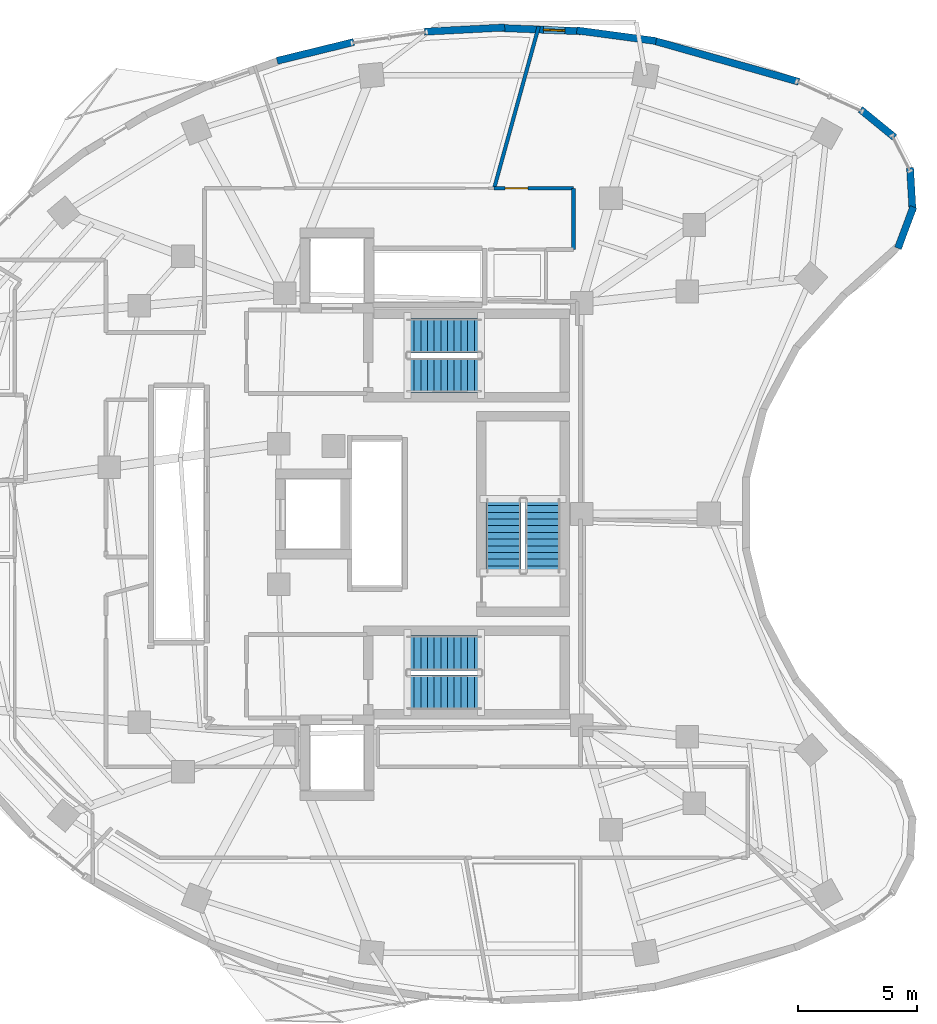
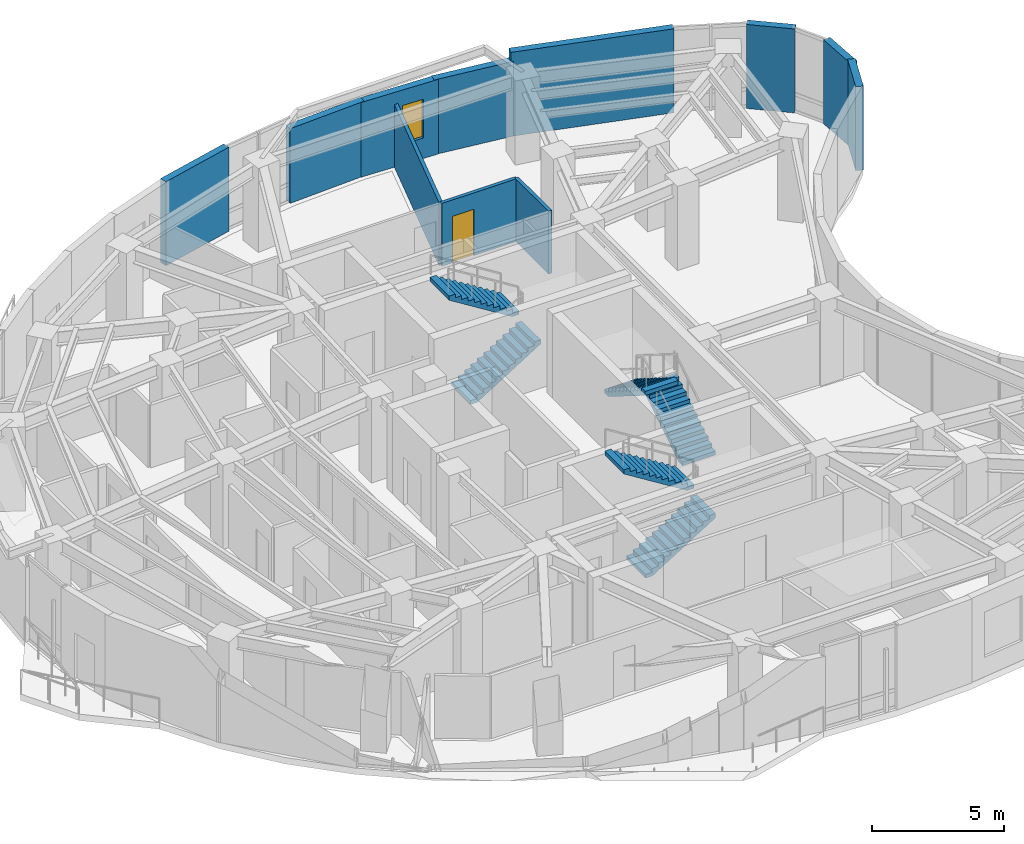
# One storey, part 10 of 13: 11 walls, 6 stair flights, 1 door, 1 window, 2 openings, 3 elements without a shape of their own.
"""IFC4 building model written with IfcOpenShell, lengths in metres."""

from ifc_helpers import new_model, si_unit, direction, frame, frame_2d, origin, place, context, subcontext, project, spatial, polyline, rectangle, outline, extrude, material, layer, layer_set, type_object, element, fill, aggregate, save


model = new_model("IFC4")

# Units and contexts
model_context = context("Model", 3, precision=1e-05, world=origin(), true_north=direction((0.0, 1.0)))
body_context = subcontext(model_context, "Body", "Model", "MODEL_VIEW")
ifc_project = project(units=[si_unit("LENGTHUNIT", "METRE"), si_unit("AREAUNIT", "SQUARE_METRE"), si_unit("VOLUMEUNIT", "CUBIC_METRE"), si_unit("PLANEANGLEUNIT", "RADIAN"), si_unit("MASSUNIT", "GRAM", prefix="KILO")], contexts=[model_context])

# Site, building, storey
site_placement = place(None, origin())
site = spatial("IfcSite", under=ifc_project, at=site_placement, CompositionType="ELEMENT")
building_placement = place(site_placement, origin())
building = spatial("IfcBuilding", under=site, at=building_placement, Name="Korentha Bioscience Tower", CompositionType="ELEMENT")
storey_placement = place(building_placement, frame((0.0, 0.0, 158.39990234375)))
storey = spatial("IfcBuildingStorey", under=building, at=storey_placement, Name="L36", CompositionType="ELEMENT", Elevation=158.39990234375)

# Wall, opening, door
ifc_material_1 = material(Name="Double-Stud Acoustic Gypsum", Category="gypsum")
ifc_layer_1 = layer(ifc_material_1, 0.14990234375, Name="Double-Stud Acoustic Gypsum")
ifc_layer_set_1 = layer_set([ifc_layer_1], Name="Double-Stud Acoustic Gypsum (IW-L150)")
wall_type_1 = type_object("IfcWallType", Name="Acoustic Laboratory Partition Wall 150", PredefinedType="PARTITIONING", material=ifc_layer_set_1)
wall_1_placement = place(storey_placement, frame((37.199951171875, 40.659912109375, 0.0), z_axis=(0.0, 0.0, 1.0), x_axis=(-1.0, 0.0, 0.0)))
wall_1 = element("IfcWall", 1, at=wall_1_placement, inside=storey, type_object=wall_type_1, Name="L36 Translational Medicine Team Office 08 Entrance Wall", PredefinedType="PARTITIONING", context=body_context, shape_type="SweptSolid", body=[
    extrude(rectangle(XDim=3.31494140625, YDim=0.14990234375, at=frame_2d((1.657470703125, 0.0))), origin(), (0.0, 0.0, 1.0), 2.91015625),
])
opening_1_placement = place(wall_1_placement, frame((1.906982421875, 0.0, 0.0)))
opening_1 = element("IfcOpeningElement", 2, at=opening_1_placement, cuts=wall_1, Name="Opening ID-10L", PredefinedType="OPENING", context=body_context, shape_type="SweptSolid", body=[
    extrude(rectangle(XDim=0.949951171875, YDim=2.14990234375, at=frame_2d((0.47509765625, 1.074951171875))), frame((0.0, 0.08984375, 0.0), z_axis=(0.0, -1.0, 0.0), x_axis=(1.0, 0.0, 0.0)), (0.0, 0.0, 1.0), 0.1796875),
])
ifc_material_2 = material(Name="Phenolic Laminate Timber Core", Category="wood")
door_type = type_object("IfcDoorType", Name="Laboratory Single Leaf Door 950x2150 Left", OperationType="SINGLE_SWING_LEFT", PredefinedType="DOOR", material=ifc_material_2)
door_placement = place(opening_1_placement, origin())
door = element("IfcDoor", 3, at=door_placement, inside=storey, type_object=door_type, Name="L36 Translational Medicine Team Office 08 Door", OperationType="SINGLE_SWING_LEFT", OverallHeight=2.14990234375, OverallWidth=0.949951171875, PredefinedType="DOOR", context=body_context, shape_type="SweptSolid", body=[
    extrude(rectangle(XDim=0.949951171875, YDim=2.14990234375, at=frame_2d((0.47509765625, 1.074951171875))), frame((0.0, 0.02490234375, 0.0), z_axis=(0.0, -1.0, 0.0), x_axis=(1.0, 0.0, 0.0)), (0.0, 0.0, 1.0), 0.050048828125),
])
fill(opening_1, door)

# Walls
wall_2_placement = place(storey_placement, frame((37.2099609375, 38.10009765625, 0.0), z_axis=(0.0, 0.0, 1.0), x_axis=(0.0, 1.0, 0.0)))
element("IfcWall", 4, at=wall_2_placement, inside=storey, type_object=wall_type_1, Name="L36 Interior Partition 058", PredefinedType="PARTITIONING", context=body_context, shape_type="SweptSolid", body=[
    extrude(rectangle(XDim=2.5498046875, YDim=0.14990234375, at=frame_2d((1.27490234375, 0.0))), origin(), (0.0, 0.0, 1.0), 2.91015625),
])
wall_3_placement = place(storey_placement, frame((33.885009765625, 40.659912109375, 0.0), z_axis=(0.0, 0.0, 1.0), x_axis=(0.26554760057, 0.964097750143, 0.0)))
element("IfcWall", 5, at=wall_3_placement, inside=storey, type_object=wall_type_1, Name="L36 Interior Partition 059", PredefinedType="PARTITIONING", context=body_context, shape_type="SweptSolid", body=[
    extrude(rectangle(XDim=7.0361328125, YDim=0.14990234375, at=frame_2d((3.51806640625, 0.0))), origin(), (0.0, 0.0, 1.0), 2.91015625),
])

# Wall, opening, window
ifc_material_3 = material(Name="Honed Limestone Precast Concrete C40", Category="masonry")
ifc_layer_2 = layer(ifc_material_3, 0.300048828125, Name="Honed Limestone Precast Concrete C40")
ifc_layer_set_2 = layer_set([ifc_layer_2], Name="Honed Limestone Precast Concrete C40 (EW-ST300)")
wall_type_2 = type_object("IfcWallType", Name="Honed Limestone Cavity Spandrel Wall 300", PredefinedType="STANDARD", material=ifc_layer_set_2)
wall_4_placement = place(storey_placement, frame((37.499755859375, 47.239990234375, 0.0), z_axis=(0.0, 0.0, 1.0), x_axis=(-0.999191674443, 0.040199474165, 0.0)))
wall_4 = element("IfcWall", 6, at=wall_4_placement, inside=storey, type_object=wall_type_2, Name="L36 Honed Limestone Spandrel Wall 05", PredefinedType="STANDARD", context=body_context, shape_type="SweptSolid", body=[
    extrude(rectangle(XDim=3.328125, YDim=0.300048828125, at=frame_2d((1.6640625, 0.0))), origin(), (0.0, 0.0, 1.0), 3.47021484375),
])
opening_2_placement = place(wall_4_placement, frame((0.6533203125, 0.0, 0.949951171875)))
opening_2 = element("IfcOpeningElement", 7, at=opening_2_placement, cuts=wall_4, Name="Opening WN-05", PredefinedType="OPENING", context=body_context, shape_type="SweptSolid", body=[
    extrude(rectangle(XDim=0.89990234375, YDim=1.800048828125, at=frame_2d((0.449951171875, 0.89990234375))), frame((0.0, 0.1650390625, 0.0), z_axis=(0.0, -1.0, 0.0), x_axis=(1.0, 0.0, 0.0)), (0.0, 0.0, 1.0), 0.329833984375),
])
ifc_material_4 = material(Name="Thermally Broken Aluminium Triple Glazing", Category="aluminium")
window_type = type_object("IfcWindowType", Name="Narrow Bioscience Pier Window 900x1800", PartitioningType="SINGLE_PANEL", PredefinedType="WINDOW", material=ifc_material_4)
window_placement = place(opening_2_placement, origin())
window = element("IfcWindow", 8, at=window_placement, inside=storey, type_object=window_type, Name="L36 Facade Window 05", OverallHeight=1.800048828125, OverallWidth=0.89990234375, PartitioningType="SINGLE_PANEL", PredefinedType="WINDOW", context=body_context, shape_type="SweptSolid", body=[
    extrude(rectangle(XDim=0.89990234375, YDim=1.800048828125, at=frame_2d((0.449951171875, 0.89990234375))), frame((0.0, 0.030029296875, 0.0), z_axis=(0.0, -1.0, 0.0), x_axis=(1.0, 0.0, 0.0)), (0.0, 0.0, 1.0), 0.06005859375),
])
fill(opening_2, window)

# Walls
wall_5_placement = place(storey_placement, frame((46.659912109375, 45.119384765625, 0.0), z_axis=(0.0, 0.0, 1.0), x_axis=(-0.962163849422, 0.272471515694, 0.0)))
element("IfcWall", 9, at=wall_5_placement, inside=storey, type_object=wall_type_2, Name="L36 Limestone Perimeter Closure Wall 02", PredefinedType="STANDARD", context=body_context, shape_type="SweptSolid", body=[
    extrude(rectangle(XDim=6.4091796875, YDim=0.300048828125, at=frame_2d((3.20458984375, 0.0))), origin(), (0.0, 0.0, 1.0), 3.900146484375),
])
wall_6_placement = place(storey_placement, frame((40.6689453125, 46.8291015625, 0.0), z_axis=(0.0, 0.0, 1.0), x_axis=(-0.991137940717, 0.132836675925, 0.0)))
element("IfcWall", 10, at=wall_6_placement, inside=storey, type_object=wall_type_2, Name="L36 Limestone Perimeter Closure Wall 04", PredefinedType="STANDARD", context=body_context, shape_type="SweptSolid", body=[
    extrude(rectangle(XDim=3.3505859375, YDim=0.300048828125, at=frame_2d((1.67529296875, 0.0))), origin(), (0.0, 0.0, 1.0), 3.47021484375),
])
wall_7_placement = place(storey_placement, frame((34.327880859375, 47.395751953125, 0.0), z_axis=(0.0, 0.0, 1.0), x_axis=(-0.998639777298, -0.052140149581, 0.0)))
element("IfcWall", 11, at=wall_7_placement, inside=storey, type_object=wall_type_2, Name="L36 Limestone Perimeter Closure Wall 06", PredefinedType="STANDARD", context=body_context, shape_type="SweptSolid", body=[
    extrude(rectangle(XDim=3.36669921875, YDim=0.300048828125, at=frame_2d((1.683349609375, 0.0))), origin(), (0.0, 0.0, 1.0), 3.47021484375),
])
wall_8_placement = place(storey_placement, frame((27.996337890625, 46.78564453125, 0.0), z_axis=(0.0, 0.0, 1.0), x_axis=(-0.971328615467, -0.237740868963, 0.0)))
element("IfcWall", 12, at=wall_8_placement, inside=storey, type_object=wall_type_2, Name="L36 Limestone Perimeter Closure Wall 08", PredefinedType="STANDARD", context=body_context, shape_type="SweptSolid", body=[
    extrude(rectangle(XDim=3.308837890625, YDim=0.300048828125, at=frame_2d((1.654296875, 0.0))), origin(), (0.0, 0.0, 1.0), 3.900146484375),
])
for number, where, z_axis, x_axis, name in (
    (13, (50.811279296875, 38.143310546875, 0.0), (0.0, 0.0, 1.0), (0.348984166898, 0.937128620443, 0.0), "L36 Limestone Perimeter Closure Wall 59"),
    (14, (51.425537109375, 39.6669921875, 0.0), (0.0, 0.0, 1.0), (-0.057485341891, 0.998346350455, 0.0), "L36 Limestone Perimeter Closure Wall 60"),
    (15, (50.668212890625, 42.7919921875, 0.0), (0.0, 0.0, 1.0), (-0.774174596654, 0.632972111467, 0.0), "L36 Limestone Perimeter Closure Wall 62"),
):
    element("IfcWall", number, at=place(storey_placement, frame(where, z_axis=z_axis, x_axis=x_axis)), inside=storey, type_object=wall_type_2, Name=name, PredefinedType="STANDARD", context=body_context, shape_type="SweptSolid", body=[
        extrude(rectangle(XDim=1.851806640625, YDim=0.300048828125, at=frame_2d((0.92578125, 0.0))), origin(), (0.0, 0.0, 1.0), 3.900146484375),
    ])

# Stair, stair flights
ifc_material_5 = material(Name="Precast Concrete C50", Category="concrete")
stair_type = type_object("IfcStairType", Name="Core Exit Dog-Leg Stair 1450", PredefinedType="HALF_TURN_STAIR", material=ifc_material_5)
stair_1_placement = place(storey_placement, origin())
stair_1 = element("IfcStair", 16, at=stair_1_placement, inside=storey, type_object=stair_type, Name="L36 Tower North Pressurized Exit Stair ST-1", PredefinedType="HALF_TURN_STAIR")
stair_flight_type = type_object("IfcStairFlightType", Name="Core Exit Dog-Leg Stair 1450 Flight", PredefinedType="STRAIGHT", material=ifc_material_5)
stair_flight_1_placement = place(storey_placement, frame((30.25, 32.824951171875, 0.0), z_axis=(0.0, 0.0, 1.0), x_axis=(1.0, 0.0, 0.0)))
stair_flight_1 = element("IfcStairFlight", 17, at=stair_flight_1_placement, type_object=stair_flight_type, Name="ST-1 flight 1", NumberOfRisers=12, NumberOfTreads=11, PredefinedType="STRAIGHT", RiserHeight=0.175, TreadLength=0.28, context=body_context, shape_type="SweptSolid", body=[
    extrude(outline(polyline([(0.0, 0.0), (0.0, 0.175048828125), (0.280029296875, 0.175048828125), (0.280029296875, 0.35009765625), (0.56005859375, 0.35009765625), (0.56005859375, 0.52490234375), (0.840087890625, 0.52490234375), (0.840087890625, 0.699951171875), (1.1201171875, 0.699951171875), (1.1201171875, 0.875), (1.39990234375, 0.875), (1.39990234375, 1.050048828125), (1.679931640625, 1.050048828125), (1.679931640625, 1.22509765625), (1.9599609375, 1.22509765625), (1.9599609375, 1.39990234375), (2.239990234375, 1.39990234375), (2.239990234375, 1.574951171875), (2.52001953125, 1.574951171875), (2.52001953125, 1.75), (2.800048828125, 1.75), (2.800048828125, 1.925048828125), (3.080078125, 1.925048828125), (3.080078125, 2.10009765625), (3.080078125, 1.736328125), (0.3017578125, 0.0), (0.0, 0.0)])), frame((0.0, 0.72509765625, 0.0), z_axis=(0.0, -1.0, 0.0), x_axis=(1.0, 0.0, 0.0)), (0.0, 0.0, 1.0), 1.449951171875),
])
stair_flight_2_placement = place(storey_placement, frame((33.330078125, 34.47509765625, 2.10009765625), z_axis=(0.0, 0.0, 1.0), x_axis=(-1.0, 0.0, 0.0)))
stair_flight_2 = element("IfcStairFlight", 18, at=stair_flight_2_placement, type_object=stair_flight_type, Name="ST-1 flight 2", NumberOfRisers=12, NumberOfTreads=11, PredefinedType="STRAIGHT", RiserHeight=0.175, TreadLength=0.28, context=body_context, shape_type="SweptSolid", body=[
    extrude(outline(polyline([(0.0, 0.0), (0.0, 0.175048828125), (0.280029296875, 0.175048828125), (0.280029296875, 0.35009765625), (0.56005859375, 0.35009765625), (0.56005859375, 0.52490234375), (0.840087890625, 0.52490234375), (0.840087890625, 0.699951171875), (1.1201171875, 0.699951171875), (1.1201171875, 0.875), (1.39990234375, 0.875), (1.39990234375, 1.050048828125), (1.679931640625, 1.050048828125), (1.679931640625, 1.22509765625), (1.9599609375, 1.22509765625), (1.9599609375, 1.39990234375), (2.239990234375, 1.39990234375), (2.239990234375, 1.574951171875), (2.52001953125, 1.574951171875), (2.52001953125, 1.75), (2.800048828125, 1.75), (2.800048828125, 1.925048828125), (3.080078125, 1.925048828125), (3.080078125, 2.10009765625), (3.080078125, 1.736328125), (0.3017578125, 0.0), (0.0, 0.0)])), frame((0.0, 0.72509765625, 0.0), z_axis=(0.0, -1.0, 0.0), x_axis=(1.0, 0.0, 0.0)), (0.0, 0.0, 1.0), 1.449951171875),
])
aggregate(stair_1, [stair_flight_1, stair_flight_2])

stair_2_placement = place(storey_placement, origin())
stair_2 = element("IfcStair", 19, at=stair_2_placement, inside=storey, type_object=stair_type, Name="L36 Tower South Pressurized Exit Stair ST-2", PredefinedType="HALF_TURN_STAIR")
stair_flight_3_placement = place(storey_placement, frame((30.25, 19.52490234375, 0.0), z_axis=(0.0, 0.0, 1.0), x_axis=(1.0, 0.0, 0.0)))
stair_flight_3 = element("IfcStairFlight", 20, at=stair_flight_3_placement, type_object=stair_flight_type, Name="ST-2 flight 1", NumberOfRisers=12, NumberOfTreads=11, PredefinedType="STRAIGHT", RiserHeight=0.175, TreadLength=0.28, context=body_context, shape_type="SweptSolid", body=[
    extrude(outline(polyline([(0.0, 0.0), (0.0, 0.175048828125), (0.280029296875, 0.175048828125), (0.280029296875, 0.35009765625), (0.56005859375, 0.35009765625), (0.56005859375, 0.52490234375), (0.840087890625, 0.52490234375), (0.840087890625, 0.699951171875), (1.1201171875, 0.699951171875), (1.1201171875, 0.875), (1.39990234375, 0.875), (1.39990234375, 1.050048828125), (1.679931640625, 1.050048828125), (1.679931640625, 1.22509765625), (1.9599609375, 1.22509765625), (1.9599609375, 1.39990234375), (2.239990234375, 1.39990234375), (2.239990234375, 1.574951171875), (2.52001953125, 1.574951171875), (2.52001953125, 1.75), (2.800048828125, 1.75), (2.800048828125, 1.925048828125), (3.080078125, 1.925048828125), (3.080078125, 2.10009765625), (3.080078125, 1.736328125), (0.3017578125, 0.0), (0.0, 0.0)])), frame((0.0, 0.72509765625, 0.0), z_axis=(0.0, -1.0, 0.0), x_axis=(1.0, 0.0, 0.0)), (0.0, 0.0, 1.0), 1.449951171875),
])
stair_flight_4_placement = place(storey_placement, frame((33.330078125, 21.175048828125, 2.10009765625), z_axis=(0.0, 0.0, 1.0), x_axis=(-1.0, 0.0, 0.0)))
stair_flight_4 = element("IfcStairFlight", 21, at=stair_flight_4_placement, type_object=stair_flight_type, Name="ST-2 flight 2", NumberOfRisers=12, NumberOfTreads=11, PredefinedType="STRAIGHT", RiserHeight=0.175, TreadLength=0.28, context=body_context, shape_type="SweptSolid", body=[
    extrude(outline(polyline([(0.0, 0.0), (0.0, 0.175048828125), (0.280029296875, 0.175048828125), (0.280029296875, 0.35009765625), (0.56005859375, 0.35009765625), (0.56005859375, 0.52490234375), (0.840087890625, 0.52490234375), (0.840087890625, 0.699951171875), (1.1201171875, 0.699951171875), (1.1201171875, 0.875), (1.39990234375, 0.875), (1.39990234375, 1.050048828125), (1.679931640625, 1.050048828125), (1.679931640625, 1.22509765625), (1.9599609375, 1.22509765625), (1.9599609375, 1.39990234375), (2.239990234375, 1.39990234375), (2.239990234375, 1.574951171875), (2.52001953125, 1.574951171875), (2.52001953125, 1.75), (2.800048828125, 1.75), (2.800048828125, 1.925048828125), (3.080078125, 1.925048828125), (3.080078125, 2.10009765625), (3.080078125, 1.736328125), (0.3017578125, 0.0), (0.0, 0.0)])), frame((0.0, 0.72509765625, 0.0), z_axis=(0.0, -1.0, 0.0), x_axis=(1.0, 0.0, 0.0)), (0.0, 0.0, 1.0), 1.449951171875),
])
aggregate(stair_2, [stair_flight_3, stair_flight_4])

stair_3_placement = place(storey_placement, origin())
stair_3 = element("IfcStair", 22, at=stair_3_placement, inside=storey, type_object=stair_type, Name="L36 Tower Central Pressurized Exit Stair ST-3", PredefinedType="HALF_TURN_STAIR")
stair_flight_5_placement = place(storey_placement, frame((35.925048828125, 24.550048828125, 0.0), z_axis=(0.0, 0.0, 1.0), x_axis=(0.0, 1.0, 0.0)))
stair_flight_5 = element("IfcStairFlight", 23, at=stair_flight_5_placement, type_object=stair_flight_type, Name="ST-3 flight 1", NumberOfRisers=12, NumberOfTreads=11, PredefinedType="STRAIGHT", RiserHeight=0.175, TreadLength=0.28, context=body_context, shape_type="SweptSolid", body=[
    extrude(outline(polyline([(0.0, 0.0), (0.0, 0.175048828125), (0.280029296875, 0.175048828125), (0.280029296875, 0.35009765625), (0.56005859375, 0.35009765625), (0.56005859375, 0.52490234375), (0.840087890625, 0.52490234375), (0.840087890625, 0.699951171875), (1.1201171875, 0.699951171875), (1.1201171875, 0.875), (1.39990234375, 0.875), (1.39990234375, 1.050048828125), (1.679931640625, 1.050048828125), (1.679931640625, 1.22509765625), (1.9599609375, 1.22509765625), (1.9599609375, 1.39990234375), (2.239990234375, 1.39990234375), (2.239990234375, 1.574951171875), (2.52001953125, 1.574951171875), (2.52001953125, 1.75), (2.800048828125, 1.75), (2.800048828125, 1.925048828125), (3.080078125, 1.925048828125), (3.080078125, 2.10009765625), (3.080078125, 1.736328125), (0.3017578125, 0.0), (0.0, 0.0)])), frame((0.0, 0.72509765625, 0.0), z_axis=(0.0, -1.0, 0.0), x_axis=(1.0, 0.0, 0.0)), (0.0, 0.0, 1.0), 1.449951171875),
])
stair_flight_6_placement = place(storey_placement, frame((34.27490234375, 27.6298828125, 2.10009765625), z_axis=(0.0, 0.0, 1.0), x_axis=(0.0, -1.0, 0.0)))
stair_flight_6 = element("IfcStairFlight", 24, at=stair_flight_6_placement, type_object=stair_flight_type, Name="ST-3 flight 2", NumberOfRisers=12, NumberOfTreads=11, PredefinedType="STRAIGHT", RiserHeight=0.175, TreadLength=0.28, context=body_context, shape_type="SweptSolid", body=[
    extrude(outline(polyline([(0.0, 0.0), (0.0, 0.175048828125), (0.280029296875, 0.175048828125), (0.280029296875, 0.35009765625), (0.56005859375, 0.35009765625), (0.56005859375, 0.52490234375), (0.840087890625, 0.52490234375), (0.840087890625, 0.699951171875), (1.1201171875, 0.699951171875), (1.1201171875, 0.875), (1.39990234375, 0.875), (1.39990234375, 1.050048828125), (1.679931640625, 1.050048828125), (1.679931640625, 1.22509765625), (1.9599609375, 1.22509765625), (1.9599609375, 1.39990234375), (2.239990234375, 1.39990234375), (2.239990234375, 1.574951171875), (2.52001953125, 1.574951171875), (2.52001953125, 1.75), (2.800048828125, 1.75), (2.800048828125, 1.925048828125), (3.080078125, 1.925048828125), (3.080078125, 2.10009765625), (3.080078125, 1.736328125), (0.3017578125, 0.0), (0.0, 0.0)])), frame((0.0, 0.72509765625, 0.0), z_axis=(0.0, -1.0, 0.0), x_axis=(1.0, 0.0, 0.0)), (0.0, 0.0, 1.0), 1.449951171875),
])
aggregate(stair_3, [stair_flight_5, stair_flight_6])

save(model, "model.ifc")
